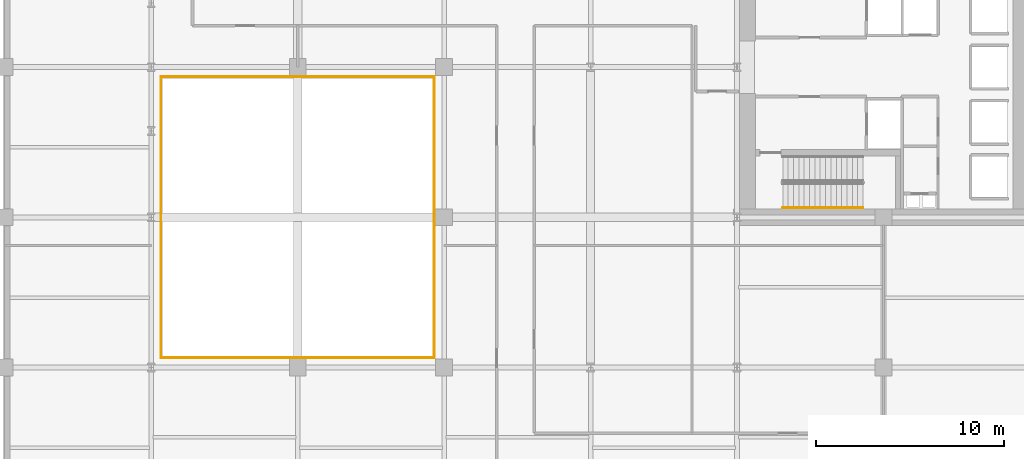
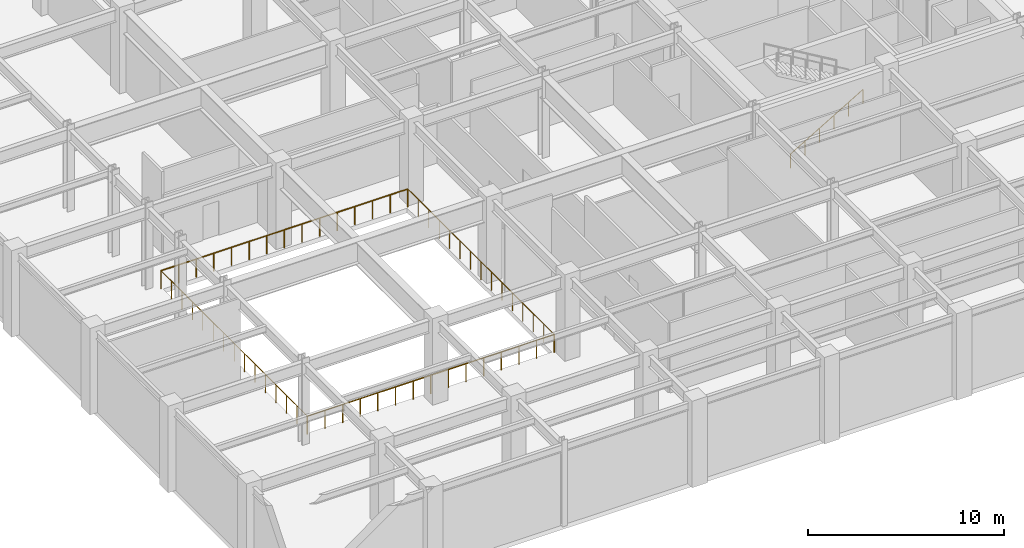
# One storey, part 12 of 13: 5 railings.
"""IFC4 building model written with IfcOpenShell, lengths in metres."""

from ifc_helpers import new_model, si_unit, direction, frame, origin, origin_2d, place, context, subcontext, project, spatial, circle, extrude, material, type_object, element, save


model = new_model("IFC4")

# Units and contexts
model_context = context("Model", 3, precision=1e-05, world=origin(), true_north=direction((0.0, 1.0)))
body_context = subcontext(model_context, "Body", "Model", "MODEL_VIEW")
ifc_project = project(units=[si_unit("LENGTHUNIT", "METRE"), si_unit("AREAUNIT", "SQUARE_METRE"), si_unit("VOLUMEUNIT", "CUBIC_METRE"), si_unit("PLANEANGLEUNIT", "RADIAN"), si_unit("MASSUNIT", "GRAM", prefix="KILO")], contexts=[model_context])

# Site, building, storey
site_placement = place(None, origin())
site = spatial("IfcSite", under=ifc_project, at=site_placement, CompositionType="ELEMENT")
building_placement = place(site_placement, origin())
building = spatial("IfcBuilding", under=site, at=building_placement, Name="Veymaron Broadcast Tower", CompositionType="ELEMENT")
storey_placement = place(building_placement, frame((0.0, 0.0, 21.60009765625)))
storey = spatial("IfcBuildingStorey", under=building, at=storey_placement, Name="L04", CompositionType="ELEMENT", Elevation=21.60009765625)

# Railings
ifc_material_1 = material(Name="Laminated structural glass and stainless handrail", Category="glass")
railing_type_1 = type_object("IfcRailingType", Name="RAIL-ATR-BAL", PredefinedType="BALUSTRADE", material=ifc_material_1)
railing_1_placement = place(storey_placement, frame((8.320068359375, 8.52001953125, 0.0)))
element("IfcRailing", 1, at=railing_1_placement, inside=storey, type_object=railing_type_1, Name="L04 double-height studio void V1 balustrade 1", PredefinedType="BALUSTRADE", context=body_context, shape_type="SweptSolid", body=[
    extrude(circle(Radius=0.02392578125, at=origin_2d()), frame((0.0, 0.0, 1.1259765625), z_axis=(1.0, 0.0, 0.0), x_axis=(0.0, 1.0, 0.0)), (0.0, 0.0, 1.0), 14.559814453125),
    extrude(circle(Radius=0.02099609375, at=origin_2d()), origin(), (0.0, 0.0, 1.0), 1.101806640625),
    extrude(circle(Radius=0.02099609375, at=origin_2d()), frame((1.0400390625, 0.0, 0.0)), (0.0, 0.0, 1.0), 1.101806640625),
    extrude(circle(Radius=0.02099609375, at=origin_2d()), frame((2.080078125, 0.0, 0.0)), (0.0, 0.0, 1.0), 1.101806640625),
    extrude(circle(Radius=0.02099609375, at=origin_2d()), frame((3.119873046875, 0.0, 0.0)), (0.0, 0.0, 1.0), 1.101806640625),
    extrude(circle(Radius=0.02099609375, at=origin_2d()), frame((4.159912109375, 0.0, 0.0)), (0.0, 0.0, 1.0), 1.101806640625),
    extrude(circle(Radius=0.02099609375, at=origin_2d()), frame((5.199951171875, 0.0, 0.0)), (0.0, 0.0, 1.0), 1.101806640625),
    extrude(circle(Radius=0.02099609375, at=origin_2d()), frame((6.239990234375, 0.0, 0.0)), (0.0, 0.0, 1.0), 1.101806640625),
    extrude(circle(Radius=0.02099609375, at=origin_2d()), frame((7.27978515625, 0.0, 0.0)), (0.0, 0.0, 1.0), 1.101806640625),
    extrude(circle(Radius=0.02099609375, at=origin_2d()), frame((8.31982421875, 0.0, 0.0)), (0.0, 0.0, 1.0), 1.101806640625),
    extrude(circle(Radius=0.02099609375, at=origin_2d()), frame((9.35986328125, 0.0, 0.0)), (0.0, 0.0, 1.0), 1.101806640625),
    extrude(circle(Radius=0.02099609375, at=origin_2d()), frame((10.39990234375, 0.0, 0.0)), (0.0, 0.0, 1.0), 1.101806640625),
    extrude(circle(Radius=0.02099609375, at=origin_2d()), frame((11.43994140625, 0.0, 0.0)), (0.0, 0.0, 1.0), 1.101806640625),
    extrude(circle(Radius=0.02099609375, at=origin_2d()), frame((12.479736328125, 0.0, 0.0)), (0.0, 0.0, 1.0), 1.101806640625),
    extrude(circle(Radius=0.02099609375, at=origin_2d()), frame((13.519775390625, 0.0, 0.0)), (0.0, 0.0, 1.0), 1.101806640625),
    extrude(circle(Radius=0.02099609375, at=origin_2d()), frame((14.559814453125, 0.0, 0.0)), (0.0, 0.0, 1.0), 1.101806640625),
])
railing_2_placement = place(storey_placement, frame((22.8798828125, 8.52001953125, 0.0)))
element("IfcRailing", 2, at=railing_2_placement, inside=storey, type_object=railing_type_1, Name="L04 double-height studio void V1 balustrade 2", PredefinedType="BALUSTRADE", context=body_context, shape_type="SweptSolid", body=[
    extrude(circle(Radius=0.02392578125, at=origin_2d()), frame((0.0, 0.0, 1.1259765625), z_axis=(0.0, 1.0, 0.0), x_axis=(-1.0, 0.0, 0.0)), (0.0, 0.0, 1.0), 14.9599609375),
    extrude(circle(Radius=0.02099609375, at=origin_2d()), origin(), (0.0, 0.0, 1.0), 1.101806640625),
    extrude(circle(Radius=0.02099609375, at=origin_2d()), frame((0.0, 1.068603515625, 0.0)), (0.0, 0.0, 1.0), 1.101806640625),
    extrude(circle(Radius=0.02099609375, at=origin_2d()), frame((0.0, 2.13720703125, 0.0)), (0.0, 0.0, 1.0), 1.101806640625),
    extrude(circle(Radius=0.02099609375, at=origin_2d()), frame((0.0, 3.205810546875, 0.0)), (0.0, 0.0, 1.0), 1.101806640625),
    extrude(circle(Radius=0.02099609375, at=origin_2d()), frame((0.0, 4.274169921875, 0.0)), (0.0, 0.0, 1.0), 1.101806640625),
    extrude(circle(Radius=0.02099609375, at=origin_2d()), frame((0.0, 5.3427734375, 0.0)), (0.0, 0.0, 1.0), 1.101806640625),
    extrude(circle(Radius=0.02099609375, at=origin_2d()), frame((0.0, 6.411376953125, 0.0)), (0.0, 0.0, 1.0), 1.101806640625),
    extrude(circle(Radius=0.02099609375, at=origin_2d()), frame((0.0, 7.47998046875, 0.0)), (0.0, 0.0, 1.0), 1.101806640625),
    extrude(circle(Radius=0.02099609375, at=origin_2d()), frame((0.0, 8.548583984375, 0.0)), (0.0, 0.0, 1.0), 1.101806640625),
    extrude(circle(Radius=0.02099609375, at=origin_2d()), frame((0.0, 9.6171875, 0.0)), (0.0, 0.0, 1.0), 1.101806640625),
    extrude(circle(Radius=0.02099609375, at=origin_2d()), frame((0.0, 10.685791015625, 0.0)), (0.0, 0.0, 1.0), 1.101806640625),
    extrude(circle(Radius=0.02099609375, at=origin_2d()), frame((0.0, 11.754150390625, 0.0)), (0.0, 0.0, 1.0), 1.101806640625),
    extrude(circle(Radius=0.02099609375, at=origin_2d()), frame((0.0, 12.82275390625, 0.0)), (0.0, 0.0, 1.0), 1.101806640625),
    extrude(circle(Radius=0.02099609375, at=origin_2d()), frame((0.0, 13.891357421875, 0.0)), (0.0, 0.0, 1.0), 1.101806640625),
    extrude(circle(Radius=0.02099609375, at=origin_2d()), frame((0.0, 14.9599609375, 0.0)), (0.0, 0.0, 1.0), 1.101806640625),
])
railing_3_placement = place(storey_placement, frame((22.8798828125, 23.47998046875, 0.0)))
element("IfcRailing", 3, at=railing_3_placement, inside=storey, type_object=railing_type_1, Name="L04 double-height studio void V1 balustrade 3", PredefinedType="BALUSTRADE", context=body_context, shape_type="SweptSolid", body=[
    extrude(circle(Radius=0.02392578125, at=origin_2d()), frame((0.0, 0.0, 1.1259765625), z_axis=(-1.0, 0.0, 0.0), x_axis=(0.0, -1.0, 0.0)), (0.0, 0.0, 1.0), 14.559814453125),
    extrude(circle(Radius=0.02099609375, at=origin_2d()), origin(), (0.0, 0.0, 1.0), 1.101806640625),
    extrude(circle(Radius=0.02099609375, at=origin_2d()), frame((-1.0400390625, 0.0, 0.0)), (0.0, 0.0, 1.0), 1.101806640625),
    extrude(circle(Radius=0.02099609375, at=origin_2d()), frame((-2.080078125, 0.0, 0.0)), (0.0, 0.0, 1.0), 1.101806640625),
    extrude(circle(Radius=0.02099609375, at=origin_2d()), frame((-3.119873046875, 0.0, 0.0)), (0.0, 0.0, 1.0), 1.101806640625),
    extrude(circle(Radius=0.02099609375, at=origin_2d()), frame((-4.159912109375, 0.0, 0.0)), (0.0, 0.0, 1.0), 1.101806640625),
    extrude(circle(Radius=0.02099609375, at=origin_2d()), frame((-5.199951171875, 0.0, 0.0)), (0.0, 0.0, 1.0), 1.101806640625),
    extrude(circle(Radius=0.02099609375, at=origin_2d()), frame((-6.239990234375, 0.0, 0.0)), (0.0, 0.0, 1.0), 1.101806640625),
    extrude(circle(Radius=0.02099609375, at=origin_2d()), frame((-7.27978515625, 0.0, 0.0)), (0.0, 0.0, 1.0), 1.101806640625),
    extrude(circle(Radius=0.02099609375, at=origin_2d()), frame((-8.31982421875, 0.0, 0.0)), (0.0, 0.0, 1.0), 1.101806640625),
    extrude(circle(Radius=0.02099609375, at=origin_2d()), frame((-9.35986328125, 0.0, 0.0)), (0.0, 0.0, 1.0), 1.101806640625),
    extrude(circle(Radius=0.02099609375, at=origin_2d()), frame((-10.39990234375, 0.0, 0.0)), (0.0, 0.0, 1.0), 1.101806640625),
    extrude(circle(Radius=0.02099609375, at=origin_2d()), frame((-11.43994140625, 0.0, 0.0)), (0.0, 0.0, 1.0), 1.101806640625),
    extrude(circle(Radius=0.02099609375, at=origin_2d()), frame((-12.479736328125, 0.0, 0.0)), (0.0, 0.0, 1.0), 1.101806640625),
    extrude(circle(Radius=0.02099609375, at=origin_2d()), frame((-13.519775390625, 0.0, 0.0)), (0.0, 0.0, 1.0), 1.101806640625),
    extrude(circle(Radius=0.02099609375, at=origin_2d()), frame((-14.559814453125, 0.0, 0.0)), (0.0, 0.0, 1.0), 1.101806640625),
])
railing_4_placement = place(storey_placement, frame((8.320068359375, 23.47998046875, 0.0)))
element("IfcRailing", 4, at=railing_4_placement, inside=storey, type_object=railing_type_1, Name="L04 double-height studio void V1 balustrade 4", PredefinedType="BALUSTRADE", context=body_context, shape_type="SweptSolid", body=[
    extrude(circle(Radius=0.02392578125, at=origin_2d()), frame((0.0, 0.0, 1.1259765625), z_axis=(0.0, -1.0, 0.0), x_axis=(1.0, 0.0, 0.0)), (0.0, 0.0, 1.0), 14.9599609375),
    extrude(circle(Radius=0.02099609375, at=origin_2d()), origin(), (0.0, 0.0, 1.0), 1.101806640625),
    extrude(circle(Radius=0.02099609375, at=origin_2d()), frame((0.0, -1.068603515625, 0.0)), (0.0, 0.0, 1.0), 1.101806640625),
    extrude(circle(Radius=0.02099609375, at=origin_2d()), frame((0.0, -2.13720703125, 0.0)), (0.0, 0.0, 1.0), 1.101806640625),
    extrude(circle(Radius=0.02099609375, at=origin_2d()), frame((0.0, -3.205810546875, 0.0)), (0.0, 0.0, 1.0), 1.101806640625),
    extrude(circle(Radius=0.02099609375, at=origin_2d()), frame((0.0, -4.274169921875, 0.0)), (0.0, 0.0, 1.0), 1.101806640625),
    extrude(circle(Radius=0.02099609375, at=origin_2d()), frame((0.0, -5.3427734375, 0.0)), (0.0, 0.0, 1.0), 1.101806640625),
    extrude(circle(Radius=0.02099609375, at=origin_2d()), frame((0.0, -6.411376953125, 0.0)), (0.0, 0.0, 1.0), 1.101806640625),
    extrude(circle(Radius=0.02099609375, at=origin_2d()), frame((0.0, -7.47998046875, 0.0)), (0.0, 0.0, 1.0), 1.101806640625),
    extrude(circle(Radius=0.02099609375, at=origin_2d()), frame((0.0, -8.548583984375, 0.0)), (0.0, 0.0, 1.0), 1.101806640625),
    extrude(circle(Radius=0.02099609375, at=origin_2d()), frame((0.0, -9.6171875, 0.0)), (0.0, 0.0, 1.0), 1.101806640625),
    extrude(circle(Radius=0.02099609375, at=origin_2d()), frame((0.0, -10.685791015625, 0.0)), (0.0, 0.0, 1.0), 1.101806640625),
    extrude(circle(Radius=0.02099609375, at=origin_2d()), frame((0.0, -11.754150390625, 0.0)), (0.0, 0.0, 1.0), 1.101806640625),
    extrude(circle(Radius=0.02099609375, at=origin_2d()), frame((0.0, -12.82275390625, 0.0)), (0.0, 0.0, 1.0), 1.101806640625),
    extrude(circle(Radius=0.02099609375, at=origin_2d()), frame((0.0, -13.891357421875, 0.0)), (0.0, 0.0, 1.0), 1.101806640625),
    extrude(circle(Radius=0.02099609375, at=origin_2d()), frame((0.0, -14.9599609375, 0.0)), (0.0, 0.0, 1.0), 1.101806640625),
])
ifc_material_2 = material(Name="Brushed stainless steel AISI 304", Category="steel")
railing_type_2 = type_object("IfcRailingType", Name="RAIL-STAIR-HR", PredefinedType="HANDRAIL", material=ifc_material_2)
railing_5_placement = place(storey_placement, frame((41.429931640625, 16.5, 0.168701171875)))
element("IfcRailing", 5, at=railing_5_placement, inside=storey, type_object=railing_type_2, Name="L04 ST2 stair handrail 1", PredefinedType="HANDRAIL", context=body_context, shape_type="SweptSolid", body=[
    extrude(circle(Radius=0.02392578125, at=origin_2d()), frame((0.0, 0.0, 0.8759765625), z_axis=(0.860483042394, 0.0, 0.50947908078), x_axis=(0.0, 1.0, 0.0)), (0.0, 0.0, 1.0), 4.96826171875),
    extrude(circle(Radius=0.02099609375, at=origin_2d()), origin(), (0.0, 0.0, 1.0), 0.851806640625),
    extrude(circle(Radius=0.02099609375, at=origin_2d()), frame((0.85498046875, 0.0, 0.50634765625)), (0.0, 0.0, 1.0), 0.851806640625),
    extrude(circle(Radius=0.02099609375, at=origin_2d()), frame((1.7099609375, 0.0, 1.012451171875)), (0.0, 0.0, 1.0), 0.851806640625),
    extrude(circle(Radius=0.02099609375, at=origin_2d()), frame((2.565185546875, 0.0, 1.518798828125)), (0.0, 0.0, 1.0), 0.851806640625),
    extrude(circle(Radius=0.02099609375, at=origin_2d()), frame((3.420166015625, 0.0, 2.02490234375)), (0.0, 0.0, 1.0), 0.851806640625),
    extrude(circle(Radius=0.02099609375, at=origin_2d()), frame((4.275146484375, 0.0, 2.53125)), (0.0, 0.0, 1.0), 0.851806640625),
])

save(model, "model.ifc")
